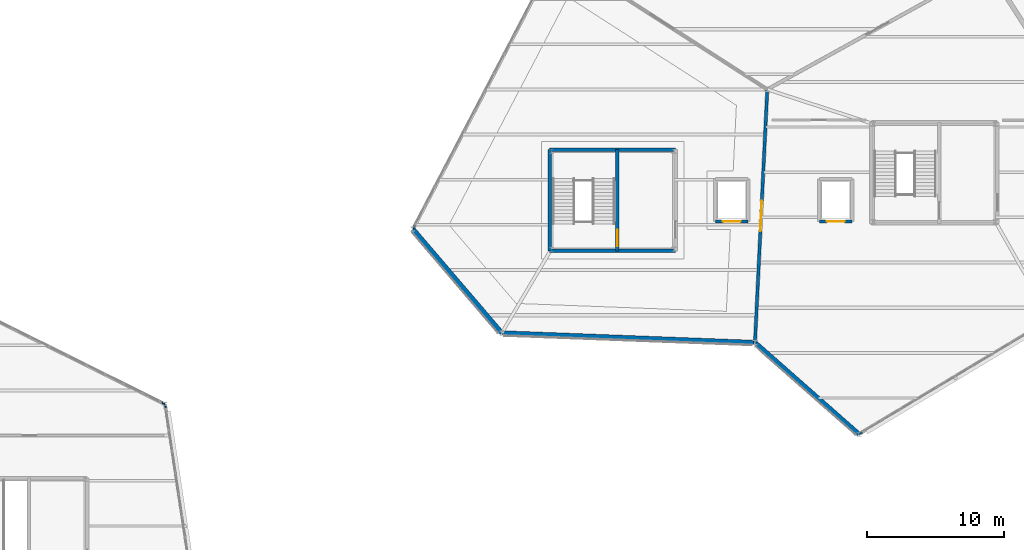
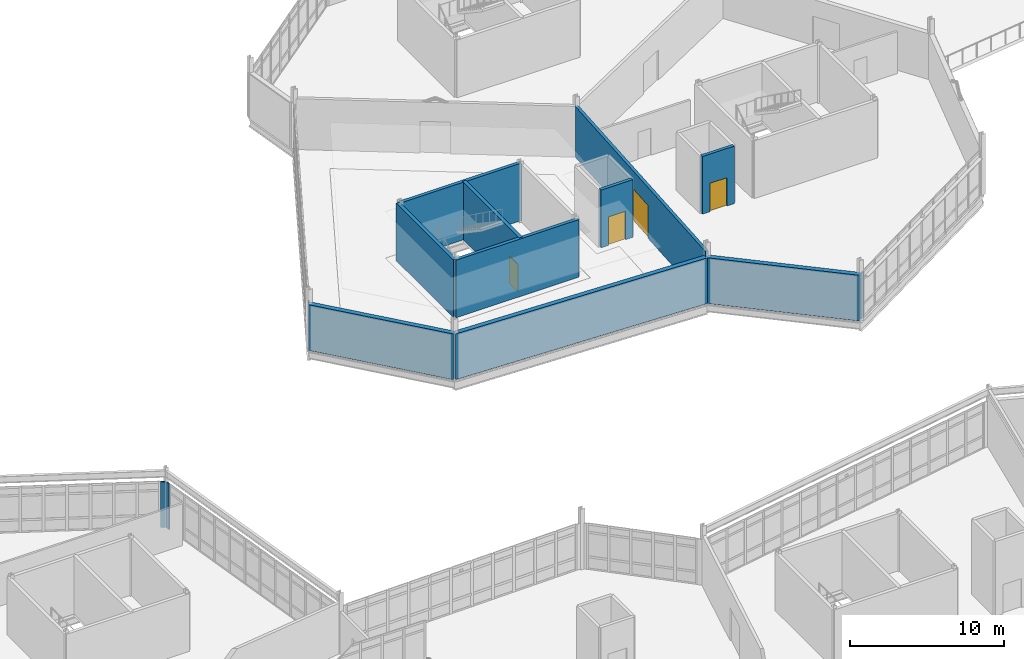
# One storey, part 63 of 76: 14 walls, 4 doors, 4 openings.
"""IFC4 building model written with IfcOpenShell, lengths in metres."""

from ifc_helpers import new_model, si_unit, direction, frame, frame_2d, origin, place, context, subcontext, project, spatial, rectangle, extrude, material, layer, layer_set, type_object, element, fill, save


model = new_model("IFC4")

# Units and contexts
model_context = context("Model", 3, precision=1e-05, world=origin(), true_north=direction((0.0, 1.0)))
body_context = subcontext(model_context, "Body", "Model", "MODEL_VIEW")
ifc_project = project(units=[si_unit("LENGTHUNIT", "METRE"), si_unit("AREAUNIT", "SQUARE_METRE"), si_unit("VOLUMEUNIT", "CUBIC_METRE"), si_unit("PLANEANGLEUNIT", "RADIAN"), si_unit("MASSUNIT", "GRAM", prefix="KILO")], contexts=[model_context])

# Site, building, storey
site_placement = place(None, origin())
site = spatial("IfcSite", under=ifc_project, at=site_placement, CompositionType="ELEMENT")
building_placement = place(site_placement, origin())
building = spatial("IfcBuilding", under=site, at=building_placement, Name="Tameran Prism Museum", CompositionType="ELEMENT")
storey_placement = place(building_placement, frame((0.0, 0.0, 15.0)))
storey = spatial("IfcBuildingStorey", under=building, at=storey_placement, Name="L03", CompositionType="ELEMENT", Elevation=15.0)

# Walls
ifc_material_1 = material(Name="Precast Concrete N40 (40 MPa)", Category="concrete")
ifc_layer_1 = layer(ifc_material_1, 0.094970703125)
ifc_layer_set_1 = layer_set([ifc_layer_1])
wall_type_1 = type_object("IfcWallType", Name="EW-CLOS-095", PredefinedType="SOLIDWALL", material=ifc_layer_set_1)
wall_1_placement = place(storey_placement, frame((92.9189453125, 78.93701171875, 0.0), z_axis=(0.0, 0.0, 1.0), x_axis=(0.464243799771, 0.885707454171, 0.0)))
element("IfcWall", 1, at=wall_1_placement, inside=storey, type_object=wall_type_1, Name="Facade Corner Closure EW-0360", PredefinedType="SOLIDWALL", context=body_context, shape_type="SweptSolid", body=[
    extrude(rectangle(XDim=0.30810546875, YDim=0.094970703125, at=frame_2d((0.154052734375, 0.0))), origin(), (0.0, 0.0, 1.0), 3.6201171875),
])
wall_2_placement = place(storey_placement, frame((125.800048828125, 64.080078125, 0.0), z_axis=(0.0, 0.0, 1.0), x_axis=(-0.858261853705, -0.513212032668, 0.0)))
element("IfcWall", 2, at=wall_2_placement, inside=storey, type_object=wall_type_1, Name="Facade Corner Closure EW-0365", PredefinedType="SOLIDWALL", context=body_context, shape_type="SweptSolid", body=[
    extrude(rectangle(XDim=0.307861328125, YDim=0.094970703125, at=frame_2d((0.15380859375, 0.0))), origin(), (0.0, 0.0, 1.0), 3.6201171875),
])
wall_3_placement = place(storey_placement, frame((74.805908203125, 66.05810546875, 0.0), z_axis=(0.0, 0.0, 1.0), x_axis=(0.14996991646, -0.988690560366, 0.0)))
element("IfcWall", 3, at=wall_3_placement, inside=storey, type_object=wall_type_1, Name="Facade Corner Closure EW-0393", PredefinedType="SOLIDWALL", context=body_context, shape_type="SweptSolid", body=[
    extrude(rectangle(XDim=0.3076171875, YDim=0.094970703125, at=frame_2d((0.15380859375, 0.0))), origin(), (0.0, 0.0, 1.0), 3.6201171875),
])
wall_4_placement = place(storey_placement, frame((74.487060546875, 66.256103515625, 0.0), z_axis=(0.0, 0.0, 1.0), x_axis=(0.894744814052, -0.446577784633, 0.0)))
element("IfcWall", 4, at=wall_4_placement, inside=storey, type_object=wall_type_1, Name="Facade Corner Closure EW-0396", PredefinedType="SOLIDWALL", context=body_context, shape_type="SweptSolid", body=[
    extrude(rectangle(XDim=0.30712890625, YDim=0.094970703125, at=frame_2d((0.153564453125, 0.0))), origin(), (0.0, 0.0, 1.0), 3.6201171875),
])
ifc_material_2 = material(Name="Precast Concrete N40 (40 MPa)", Category="concrete")
ifc_layer_2 = layer(ifc_material_2, 0.340087890625)
ifc_layer_set_2 = layer_set([ifc_layer_2])
wall_type_2 = type_object("IfcWallType", Name="EW-GAL-340", PredefinedType="SOLIDWALL", material=ifc_layer_set_2)
wall_5_placement = place(storey_placement, frame((117.840087890625, 70.60205078125, 0.0), z_axis=(0.0, 0.0, 1.0), x_axis=(-0.999284381651, 0.037824920194, 0.0)))
element("IfcWall", 5, at=wall_5_placement, inside=storey, type_object=wall_type_2, Name="Exterior Fluted Precast Wall EW-0359", PredefinedType="SOLIDWALL", context=body_context, shape_type="SweptSolid", body=[
    extrude(rectangle(XDim=18.453369140625, YDim=0.340087890625, at=frame_2d((9.2265625, 0.0))), origin(), (0.0, 0.0, 1.0), 3.6201171875),
])
wall_6_placement = place(storey_placement, frame((99.39990234375, 71.300048828125, 0.0), z_axis=(0.0, 0.0, 1.0), x_axis=(-0.649974737731, 0.75995581471, 0.0)))
element("IfcWall", 6, at=wall_6_placement, inside=storey, type_object=wall_type_2, Name="Exterior Fluted Precast Wall EW-0362", PredefinedType="SOLIDWALL", context=body_context, shape_type="SweptSolid", body=[
    extrude(rectangle(XDim=10.00048828125, YDim=0.340087890625, at=frame_2d((5.000244140625, 0.0))), origin(), (0.0, 0.0, 1.0), 3.6201171875),
])
wall_7_placement = place(storey_placement, frame((125.5, 63.89990234375, 0.0), z_axis=(0.0, 0.0, 1.0), x_axis=(-0.750131359252, 0.661288850554, 0.0)))
element("IfcWall", 7, at=wall_7_placement, inside=storey, type_object=wall_type_2, Name="Exterior Fluted Precast Wall EW-0363", PredefinedType="SOLIDWALL", context=body_context, shape_type="SweptSolid", body=[
    extrude(rectangle(XDim=10.071533203125, YDim=0.340087890625, at=frame_2d((5.03564453125, 0.0))), origin(), (0.0, 0.0, 1.0), 3.6201171875),
])

# Wall, opening, door
ifc_material_3 = material(Name="Concrete N40 (40 MPa)", Category="concrete")
ifc_layer_3 = layer(ifc_material_3, 0.22509765625)
ifc_layer_set_3 = layer_set([ifc_layer_3])
wall_type_3 = type_object("IfcWallType", Name="IW-CMP-225", PredefinedType="SOLIDWALL", material=ifc_layer_set_3)
wall_8_placement = place(storey_placement, frame((117.89990234375, 70.60009765625, 0.0), z_axis=(0.0, 0.0, 1.0), x_axis=(0.048599072515, 0.998818366947, 0.0)))
wall_8 = element("IfcWall", 8, at=wall_8_placement, inside=storey, type_object=wall_type_3, Name="Compartment Wall IW-0136", PredefinedType="SOLIDWALL", context=body_context, shape_type="SweptSolid", body=[
    extrude(rectangle(XDim=18.52197265625, YDim=0.22509765625, at=frame_2d((9.260986328125, 0.0))), origin(), (0.0, 0.0, 1.0), 4.02001953125),
])
opening_1_placement = place(wall_8_placement, frame((8.160888671875, 0.0, 0.0)))
opening_1 = element("IfcOpeningElement", 9, at=opening_1_placement, cuts=wall_8, Name="Opening ID-0135", PredefinedType="OPENING", context=body_context, shape_type="SweptSolid", body=[
    extrude(rectangle(XDim=2.199951171875, YDim=2.60009765625, at=frame_2d((1.10009765625, 1.300048828125))), frame((0.0, 0.12255859375, 0.0), z_axis=(0.0, -1.0, 0.0), x_axis=(1.0, 0.0, 0.0)), (0.0, 0.0, 1.0), 0.2451171875),
])
ifc_material_4 = material(Name="Fire-Rated Steel Door Leaf and Frame", Category="steel")
door_type_1 = type_object("IfcDoorType", Name="DR-GAL-220", OperationType="DOUBLE_DOOR_SINGLE_SWING", PredefinedType="DOOR", material=ifc_material_4)
door_1_placement = place(opening_1_placement, origin())
door_1 = element("IfcDoor", 10, at=door_1_placement, inside=storey, type_object=door_type_1, Name="Compartment Door ID-0135", OperationType="DOUBLE_DOOR_SINGLE_SWING", OverallHeight=2.60009765625, OverallWidth=2.199951171875, PredefinedType="DOOR", context=body_context, shape_type="SweptSolid", body=[
    extrude(rectangle(XDim=2.199951171875, YDim=2.60009765625, at=frame_2d((1.10009765625, 1.300048828125))), frame((0.0, 0.02490234375, 0.0), z_axis=(0.0, -1.0, 0.0), x_axis=(1.0, 0.0, 0.0)), (0.0, 0.0, 1.0), 0.050048828125),
])
fill(opening_1, door_1)

# Walls
ifc_material_5 = material(Name="Concrete N40 (40 MPa)", Category="concrete")
ifc_layer_4 = layer(ifc_material_5, 0.25)
ifc_layer_set_4 = layer_set([ifc_layer_4])
wall_type_4 = type_object("IfcWallType", Name="IW-COR-250", PredefinedType="SHEAR", material=ifc_layer_set_4)
wall_9_placement = place(storey_placement, frame((102.89990234375, 77.300048828125, 0.0), z_axis=(0.0, 0.0, 1.0), x_axis=(0.0, 1.0, 0.0)))
element("IfcWall", 11, at=wall_9_placement, inside=storey, type_object=wall_type_4, Name="Core Shear Wall CW-1-L03-W", PredefinedType="SHEAR", context=body_context, shape_type="SweptSolid", body=[
    extrude(rectangle(XDim=7.39990234375, YDim=0.25, at=frame_2d((3.699951171875, 0.0))), origin(), (0.0, 0.0, 1.0), 4.56005859375),
])
for number, where, z_axis, x_axis, name in (
    (12, (102.89990234375, 84.699951171875, 0.0), (0.0, 0.0, 1.0), (1.0, 0.0, 0.0), "Core Shear Wall CW-1-L03-N"),
    (13, (112.10009765625, 77.300048828125, 0.0), (0.0, 0.0, 1.0), (-1.0, 0.0, 0.0), "Core Shear Wall CW-1-L03-S"),
):
    element("IfcWall", number, at=place(storey_placement, frame(where, z_axis=z_axis, x_axis=x_axis)), inside=storey, type_object=wall_type_4, Name=name, PredefinedType="SHEAR", context=body_context, shape_type="SweptSolid", body=[
        extrude(rectangle(XDim=9.2001953125, YDim=0.25, at=frame_2d((4.60009765625, 0.0))), origin(), (0.0, 0.0, 1.0), 4.56005859375),
    ])

# Wall, opening, door
wall_10_placement = place(storey_placement, frame((107.85009765625, 84.699951171875, 0.0), z_axis=(0.0, 0.0, 1.0), x_axis=(0.0, -1.0, 0.0)))
wall_10 = element("IfcWall", 14, at=wall_10_placement, inside=storey, type_object=wall_type_4, Name="Core Shear Wall CW-1-L03-M", PredefinedType="SHEAR", context=body_context, shape_type="SweptSolid", body=[
    extrude(rectangle(XDim=7.39990234375, YDim=0.25, at=frame_2d((3.699951171875, 0.0))), origin(), (0.0, 0.0, 1.0), 4.56005859375),
])
opening_2_placement = place(wall_10_placement, frame((5.85009765625, 0.0, 0.0)))
opening_2 = element("IfcOpeningElement", 15, at=opening_2_placement, cuts=wall_10, Name="Opening FD-0178", PredefinedType="OPENING", context=body_context, shape_type="SweptSolid", body=[
    extrude(rectangle(XDim=1.199951171875, YDim=2.199951171875, at=frame_2d((0.60009765625, 1.10009765625))), frame((0.0, 0.135009765625, 0.0), z_axis=(0.0, -1.0, 0.0), x_axis=(1.0, 0.0, 0.0)), (0.0, 0.0, 1.0), 0.27001953125),
])
ifc_material_6 = material(Name="Fire-Rated Steel Door Leaf and Frame", Category="steel")
door_type_2 = type_object("IfcDoorType", Name="DR-FD-120A", OperationType="NOTDEFINED", PredefinedType="DOOR", material=ifc_material_6)
door_2_placement = place(opening_2_placement, origin())
door_2 = element("IfcDoor", 16, at=door_2_placement, inside=storey, type_object=door_type_2, Name="Core Fire Door FD-0178", OperationType="SINGLE_SWING_RIGHT", OverallHeight=2.199951171875, OverallWidth=1.199951171875, PredefinedType="DOOR", context=body_context, shape_type="SweptSolid", body=[
    extrude(rectangle(XDim=1.199951171875, YDim=2.199951171875, at=frame_2d((0.60009765625, 1.10009765625))), frame((0.0, 0.02490234375, 0.0), z_axis=(0.0, -1.0, 0.0), x_axis=(1.0, 0.0, 0.0)), (0.0, 0.0, 1.0), 0.050048828125),
])
fill(opening_2, door_2)

ifc_material_7 = material(Name="Concrete N40 (40 MPa)", Category="concrete")
ifc_layer_5 = layer(ifc_material_7, 0.239990234375)
ifc_layer_set_5 = layer_set([ifc_layer_5])
wall_type_5 = type_object("IfcWallType", Name="IW-LFT-240", PredefinedType="SHEAR", material=ifc_layer_set_5)
wall_11_placement = place(storey_placement, frame((117.39990234375, 79.449951171875, 0.0), z_axis=(0.0, 0.0, 1.0), x_axis=(-1.0, 0.0, 0.0)))
wall_11 = element("IfcWall", 17, at=wall_11_placement, inside=storey, type_object=wall_type_5, Name="Lift Shaft Wall LW-EL01-L03S", PredefinedType="SHEAR", context=body_context, shape_type="SweptSolid", body=[
    extrude(rectangle(XDim=2.39990234375, YDim=0.239990234375, at=frame_2d((1.199951171875, 0.0))), origin(), (0.0, 0.0, 1.0), 4.56005859375),
])
opening_3_placement = place(wall_11_placement, frame((0.550048828125, 0.0, 0.0)))
opening_3 = element("IfcOpeningElement", 18, at=opening_3_placement, cuts=wall_11, Name="Opening LD-EL01-L03", PredefinedType="OPENING", context=body_context, shape_type="SweptSolid", body=[
    extrude(rectangle(XDim=1.300048828125, YDim=2.25, at=frame_2d((0.64990234375, 1.125))), frame((0.0, 0.1298828125, 0.0), z_axis=(0.0, -1.0, 0.0), x_axis=(1.0, 0.0, 0.0)), (0.0, 0.0, 1.0), 0.260009765625),
])
ifc_material_8 = material(Name="Fire-Rated Steel Door Leaf and Frame", Category="steel")
door_type_3 = type_object("IfcDoorType", Name="DR-LD-EL", OperationType="SLIDING_TO_LEFT", PredefinedType="DOOR", material=ifc_material_8)
door_3_placement = place(opening_3_placement, origin())
door_3 = element("IfcDoor", 19, at=door_3_placement, inside=storey, type_object=door_type_3, Name="Emergency Stretcher Lift EL-01 Landing Door L03", OperationType="SLIDING_TO_LEFT", OverallHeight=2.25, OverallWidth=1.300048828125, PredefinedType="DOOR", context=body_context, shape_type="SweptSolid", body=[
    extrude(rectangle(XDim=1.300048828125, YDim=2.25, at=frame_2d((0.64990234375, 1.125))), frame((0.0, 0.02490234375, 0.0), z_axis=(0.0, -1.0, 0.0), x_axis=(1.0, 0.0, 0.0)), (0.0, 0.0, 1.0), 0.050048828125),
])
fill(opening_3, door_3)

wall_12_placement = place(storey_placement, frame((125.0, 79.449951171875, 0.0), z_axis=(0.0, 0.0, 1.0), x_axis=(-1.0, 0.0, 0.0)))
wall_12 = element("IfcWall", 20, at=wall_12_placement, inside=storey, type_object=wall_type_5, Name="Lift Shaft Wall LW-EL02-L03S", PredefinedType="SHEAR", context=body_context, shape_type="SweptSolid", body=[
    extrude(rectangle(XDim=2.39990234375, YDim=0.239990234375, at=frame_2d((1.199951171875, 0.0))), origin(), (0.0, 0.0, 1.0), 4.56005859375),
])
opening_4_placement = place(wall_12_placement, frame((0.550048828125, 0.0, 0.0)))
opening_4 = element("IfcOpeningElement", 21, at=opening_4_placement, cuts=wall_12, Name="Opening LD-EL02-L03", PredefinedType="OPENING", context=body_context, shape_type="SweptSolid", body=[
    extrude(rectangle(XDim=1.300048828125, YDim=2.25, at=frame_2d((0.64990234375, 1.125))), frame((0.0, 0.1298828125, 0.0), z_axis=(0.0, -1.0, 0.0), x_axis=(1.0, 0.0, 0.0)), (0.0, 0.0, 1.0), 0.260009765625),
])
door_4_placement = place(opening_4_placement, origin())
door_4 = element("IfcDoor", 22, at=door_4_placement, inside=storey, type_object=door_type_3, Name="Emergency Stretcher Lift EL-02 Landing Door L03", OperationType="SLIDING_TO_LEFT", OverallHeight=2.25, OverallWidth=1.300048828125, PredefinedType="DOOR", context=body_context, shape_type="SweptSolid", body=[
    extrude(rectangle(XDim=1.300048828125, YDim=2.25, at=frame_2d((0.64990234375, 1.125))), frame((0.0, 0.02490234375, 0.0), z_axis=(0.0, -1.0, 0.0), x_axis=(1.0, 0.0, 0.0)), (0.0, 0.0, 1.0), 0.050048828125),
])
fill(opening_4, door_4)

save(model, "model.ifc")
